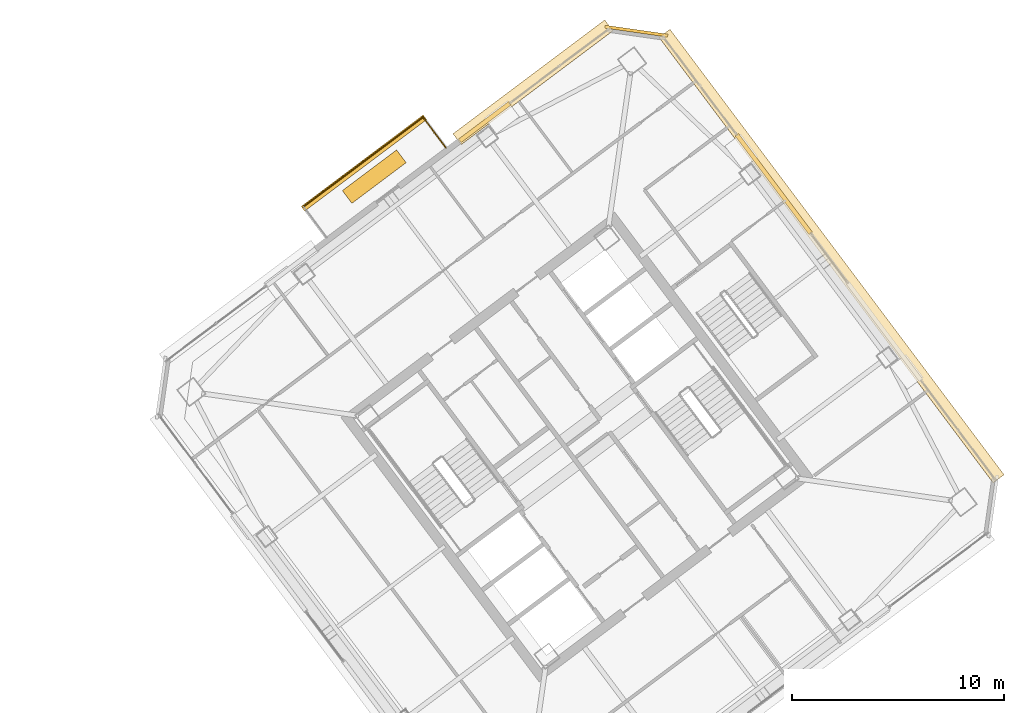
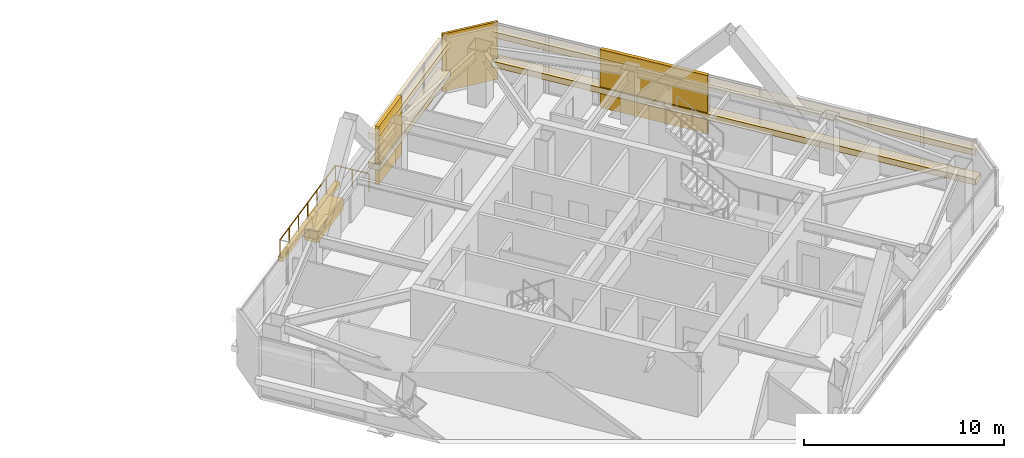
# One storey, part 39 of 39: 9 coverings, 2 railings.
"""IFC4 building model written with IfcOpenShell, lengths in metres."""

from ifc_helpers import new_model, si_unit, direction, frame, origin, origin_2d, place, context, subcontext, project, spatial, rectangle, extrude, material, layer, layer_set, type_object, element, save


model = new_model("IFC4")

# Units and contexts
model_context = context("Model", 3, precision=1e-05, world=origin(), true_north=direction((0.0, 1.0)))
body_context = subcontext(model_context, "Body", "Model", "MODEL_VIEW")
ifc_project = project(units=[si_unit("LENGTHUNIT", "METRE"), si_unit("AREAUNIT", "SQUARE_METRE"), si_unit("VOLUMEUNIT", "CUBIC_METRE"), si_unit("PLANEANGLEUNIT", "RADIAN"), si_unit("MASSUNIT", "GRAM", prefix="KILO")], contexts=[model_context])

# Site, building, storey
site_placement = place(None, origin())
site = spatial("IfcSite", under=ifc_project, at=site_placement, CompositionType="ELEMENT")
building_placement = place(site_placement, origin())
building = spatial("IfcBuilding", under=site, at=building_placement, Name="Tashvorn Skyway Center", CompositionType="ELEMENT")
storey_placement = place(building_placement, frame((0.0, 0.0, 239.699951171875)))
storey = spatial("IfcBuildingStorey", under=building, at=storey_placement, Name="L65", CompositionType="ELEMENT", Elevation=239.699951171875)

# Coverings
ifc_material_1 = material(Name="Precast concrete C40/50", Category="concrete")
ifc_layer_1 = layer(ifc_material_1, 0.199951171875)
ifc_layer_set_1 = layer_set([ifc_layer_1], Name="Precast concrete C40/50")
covering_type_1 = type_object("IfcCoveringType", Name="COV-BRACE-CLAD", PredefinedType="CLADDING", material=ifc_layer_set_1)
covering_1_placement = place(storey_placement, frame((109.6494140625, 47.3369140625, 0.0), z_axis=(0.0, 0.0, 1.0), x_axis=(0.799999996291, 0.600000004945, 0.0)))
element("IfcCovering", 1, at=covering_1_placement, inside=storey, type_object=covering_type_1, Name="Tower 2 L65 North Curtain Wall R Mega-Brace Cladding Band 1", PredefinedType="CLADDING", context=body_context, shape_type="SweptSolid", body=[
    extrude(rectangle(XDim=2.943359375, YDim=0.199951171875, at=origin_2d()), origin(), (0.0, 0.0, 1.0), 3.550048828125),
])
covering_2_placement = place(storey_placement, frame((123.2880859375, 44.416015625, 0.0), z_axis=(0.0, 0.0, 1.0), x_axis=(0.600000004945, -0.799999996291, 0.0)))
element("IfcCovering", 2, at=covering_2_placement, inside=storey, type_object=covering_type_1, Name="Tower 2 L65 East Unitised Curtain Wall Mega-Brace Cladding Band 1", PredefinedType="CLADDING", context=body_context, shape_type="SweptSolid", body=[
    extrude(rectangle(XDim=5.813232421875, YDim=0.199951171875, at=origin_2d()), origin(), (0.0, 0.0, 1.0), 3.550048828125),
])
ifc_material_2 = material(Name="Perforated ceramic-coated bronze aluminium solar screen", Category="aluminium")
ifc_layer_2 = layer(ifc_material_2, 0.85009765625)
ifc_layer_set_2 = layer_set([ifc_layer_2], Name="Perforated ceramic-coated bronze aluminium solar screen")
covering_type_2 = type_object("IfcCoveringType", Name="COV-SOLAR-BAND", PredefinedType="CLADDING", material=ifc_layer_set_2)
for number, where, z_axis, x_axis, name in (
    (3, (111.919921875, 49.215087890625, 0.919921875), (0.0, 0.0, 1.0), (0.799999996291, 0.600000004945, 0.0), "L65 Perforated Ceramic-Metal Solar Screen Louvre Band North 1"),
    (4, (111.919921875, 49.215087890625, 2.72021484375), (0.0, 0.0, 1.0), (0.799999996291, 0.600000004945, 0.0), "L65 Perforated Ceramic-Metal Solar Screen Louvre Band North 2"),
):
    element("IfcCovering", number, at=place(storey_placement, frame(where, z_axis=z_axis, x_axis=x_axis)), inside=storey, type_object=covering_type_2, Name=name, PredefinedType="CLADDING", context=body_context, shape_type="SweptSolid", body=[
        extrude(rectangle(XDim=8.949951171875, YDim=0.639892578125, at=origin_2d()), origin(), (0.0, 0.0, 1.0), 0.360107421875),
    ])
for number, where, z_axis, x_axis, name in (
    (5, (126.01611328125, 41.011962890625, 0.919921875), (0.0, 0.0, 1.0), (0.600000004945, -0.799999996291, 0.0), "L65 Perforated Ceramic-Metal Solar Screen Louvre Band East 1"),
    (6, (126.01611328125, 41.011962890625, 2.72021484375), (0.0, 0.0, 1.0), (0.600000004945, -0.799999996291, 0.0), "L65 Perforated Ceramic-Metal Solar Screen Louvre Band East 2"),
):
    element("IfcCovering", number, at=place(storey_placement, frame(where, z_axis=z_axis, x_axis=x_axis)), inside=storey, type_object=covering_type_2, Name=name, PredefinedType="CLADDING", context=body_context, shape_type="SweptSolid", body=[
        extrude(rectangle(XDim=26.280029296875, YDim=0.639892578125, at=origin_2d()), origin(), (0.0, 0.0, 1.0), 0.360107421875),
    ])
ifc_layer_3 = layer(ifc_material_1, 0.35009765625)
ifc_layer_set_3 = layer_set([ifc_layer_3], Name="Precast concrete C40/50")
covering_type_3 = type_object("IfcCoveringType", Name="COV-STONE-TRIM", PredefinedType="CLADDING", material=ifc_layer_set_3)
covering_3_placement = place(storey_placement, frame((103.944091796875, 45.407958984375, -0.16015625), z_axis=(0.0, 0.0, 1.0), x_axis=(0.799999996291, 0.600000004945, 0.0)))
element("IfcCovering", 7, at=covering_3_placement, inside=storey, type_object=covering_type_3, Name="Tower 2 L65 Spiral Terrace Terracotta Fascia", PredefinedType="CLADDING", context=body_context, shape_type="SweptSolid", body=[
    extrude(rectangle(XDim=7.199951171875, YDim=0.280029296875, at=origin_2d()), origin(), (0.0, 0.0, 1.0), 0.280029296875),
])
covering_4_placement = place(storey_placement, frame((104.429931640625, 44.760009765625, 0.0), z_axis=(0.0, 0.0, 1.0), x_axis=(0.799999996291, 0.600000004945, 0.0)))
element("IfcCovering", 8, at=covering_4_placement, inside=storey, type_object=covering_type_3, Name="Tower 2 L65 Spiral Terrace Planter", PredefinedType="CLADDING", context=body_context, shape_type="SweptSolid", body=[
    extrude(rectangle(XDim=3.199951171875, YDim=0.75, at=origin_2d()), origin(), (0.0, 0.0, 1.0), 0.679931640625),
])
covering_5_placement = place(storey_placement, frame((116.803955078125, 51.6279296875, 0.02001953125), z_axis=(0.0, 0.0, 1.0), x_axis=(0.989949494535, -0.141421350118, 0.0)))
element("IfcCovering", 9, at=covering_5_placement, inside=storey, type_object=covering_type_3, Name="Tower 2 L65 NE Mojave Limestone Corner Quoin", PredefinedType="CLADDING", context=body_context, shape_type="SweptSolid", body=[
    extrude(rectangle(XDim=2.98828125, YDim=0.139892578125, at=origin_2d()), origin(), (0.0, 0.0, 1.0), 3.510009765625),
])

# Railings
ifc_material_3 = material(Name="Galvanized steel S355", Category="steel")
railing_type = type_object("IfcRailingType", Name="RAIL-GUARD-1120", PredefinedType="GUARDRAIL", material=ifc_material_3)
railing_1_placement = place(storey_placement, frame((101.092041015625, 43.343994140625, 0.0)))
element("IfcRailing", 10, at=railing_1_placement, inside=storey, type_object=railing_type, Name="L65 Tower 2 Terrace Guardrail 02", PredefinedType="GUARDRAIL", context=body_context, shape_type="SweptSolid", body=[
    extrude(rectangle(XDim=0.048095703125, YDim=0.048095703125, at=origin_2d()), frame((0.0, 0.0, 1.09619140625), z_axis=(0.799995838574, 0.600005548528, 0.0), x_axis=(-0.600005548528, 0.799995838574, 0.0)), (0.0, 0.0, 1.0), 7.0400390625),
    extrude(rectangle(XDim=0.0419921875, YDim=0.0419921875, at=origin_2d()), origin(), (0.0, 0.0, 1.0), 1.072021484375),
    extrude(rectangle(XDim=0.0419921875, YDim=0.0419921875, at=origin_2d()), frame((0.938720703125, 0.7041015625, 0.0)), (0.0, 0.0, 1.0), 1.072021484375),
    extrude(rectangle(XDim=0.0419921875, YDim=0.0419921875, at=origin_2d()), frame((1.87744140625, 1.407958984375, 0.0)), (0.0, 0.0, 1.0), 1.072021484375),
    extrude(rectangle(XDim=0.0419921875, YDim=0.0419921875, at=origin_2d()), frame((2.81591796875, 2.112060546875, 0.0)), (0.0, 0.0, 1.0), 1.072021484375),
    extrude(rectangle(XDim=0.0419921875, YDim=0.0419921875, at=origin_2d()), frame((3.754638671875, 2.816162109375, 0.0)), (0.0, 0.0, 1.0), 1.072021484375),
    extrude(rectangle(XDim=0.0419921875, YDim=0.0419921875, at=origin_2d()), frame((4.693359375, 3.52001953125, 0.0)), (0.0, 0.0, 1.0), 1.072021484375),
    extrude(rectangle(XDim=0.0419921875, YDim=0.0419921875, at=origin_2d()), frame((5.632080078125, 4.22412109375, 0.0)), (0.0, 0.0, 1.0), 1.072021484375),
])
railing_2_placement = place(storey_placement, frame((106.72412109375, 47.568115234375, 0.0)))
element("IfcRailing", 11, at=railing_2_placement, inside=storey, type_object=railing_type, Name="L65 Tower 2 Terrace Guardrail 03", PredefinedType="GUARDRAIL", context=body_context, shape_type="SweptSolid", body=[
    extrude(rectangle(XDim=0.048095703125, YDim=0.048095703125, at=origin_2d()), frame((0.0, 0.0, 1.09619140625), z_axis=(0.599914141212, -0.800064386893, 0.0), x_axis=(0.800064386893, 0.599914141212, 0.0)), (0.0, 0.0, 1.0), 1.81982421875),
    extrude(rectangle(XDim=0.0419921875, YDim=0.0419921875, at=origin_2d()), origin(), (0.0, 0.0, 1.0), 1.072021484375),
    extrude(rectangle(XDim=0.0419921875, YDim=0.0419921875, at=origin_2d()), frame((0.5458984375, -0.72802734375, 0.0)), (0.0, 0.0, 1.0), 1.072021484375),
    extrude(rectangle(XDim=0.0419921875, YDim=0.0419921875, at=origin_2d()), frame((1.091796875, -1.4560546875, 0.0)), (0.0, 0.0, 1.0), 1.072021484375),
])

save(model, "model.ifc")
